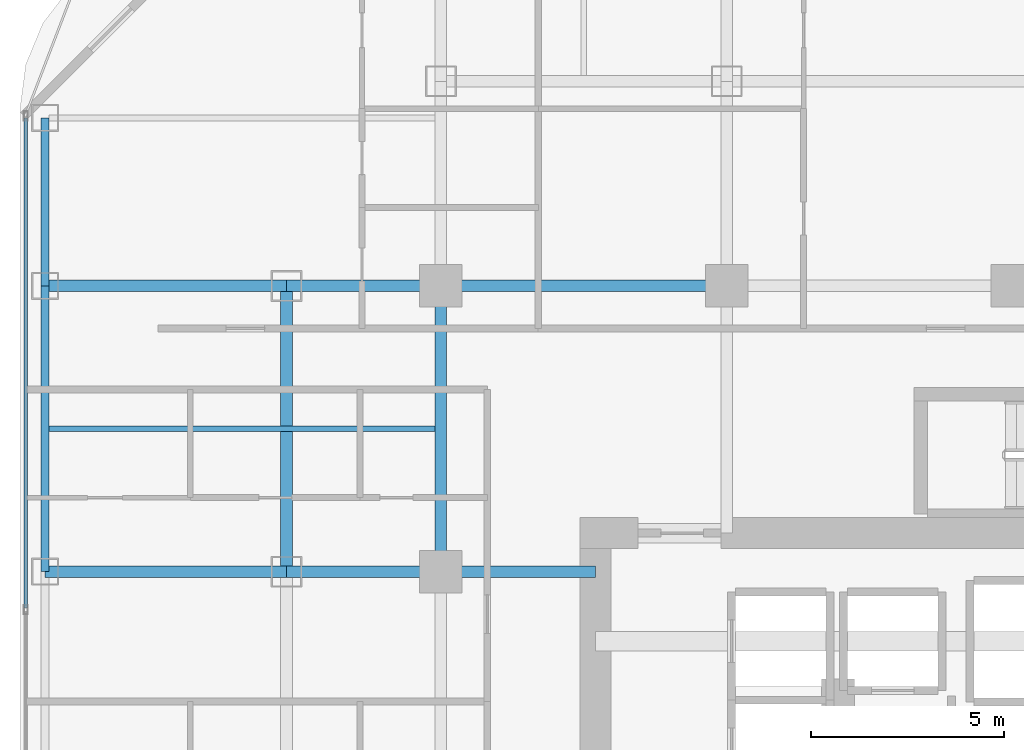
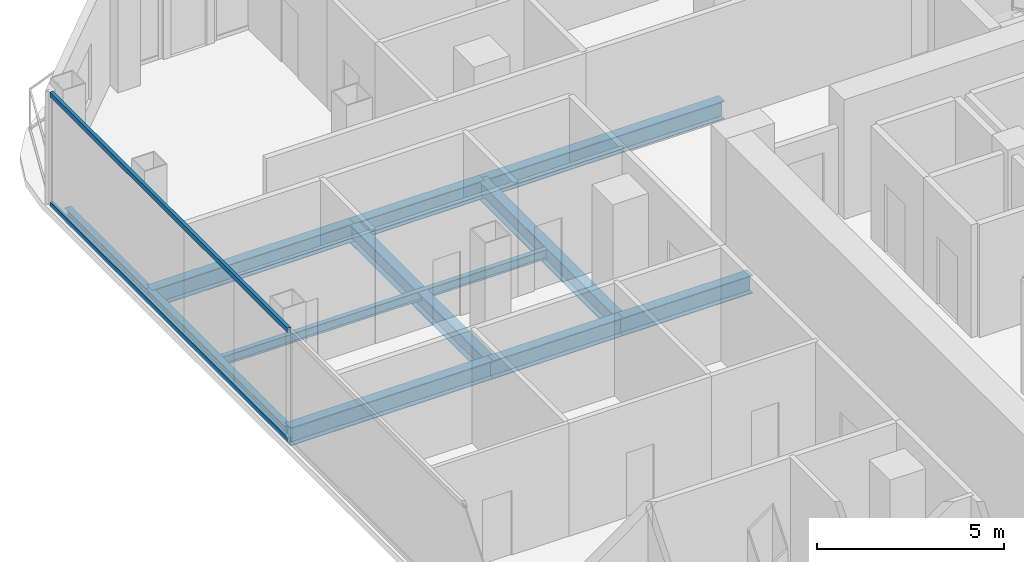
# One storey, part 10 of 27: 11 beams, 2 members, 1 element without a shape of its own.
"""IFC4 building model written with IfcOpenShell, lengths in metres."""

import ifcopenshell
import ifcopenshell.guid

model = None  # the IFC model being written
_history = None  # IfcOwnerHistory: only IFC2X3 demands one
_inside = {}  # id of a spatial element -> (the spatial element, [elements in it])
_under = {}  # id of a project, library or spatial element -> (it, [spatial elements below it])
_declared = {}  # id of a project -> (the project, [libraries it declares])
_typed = {}  # id of a type object -> (the type object, [elements of that type])
_made_of = {}  # id of a material, layer set ... -> (it, [elements and type objects made of it])


def new_model(schema):
    """Start an empty IFC model of exactly this schema.

    Asked for "IFC4X3", IfcOpenShell would pick the latest addendum, in which some entities
    have other attributes; the version numbers below select the first issue.
    IFC2X3 requires an IfcOwnerHistory on every rooted entity: one is made here for all.
    """
    global model, _history
    if schema == "IFC4X3":
        model = ifcopenshell.file(schema_version=(4, 3, 0, 0))
    else:
        model = ifcopenshell.file(schema=schema)
    _inside.clear()
    _under.clear()
    _declared.clear()
    _typed.clear()
    _made_of.clear()
    _history = None
    if model.schema == "IFC2X3":
        org = make("IfcOrganization", Name="unknown")
        user = make(
            "IfcPersonAndOrganization",
            ThePerson=make("IfcPerson", FamilyName="unknown"),
            TheOrganization=org,
        )
        app = make(
            "IfcApplication",
            ApplicationDeveloper=org,
            Version="unknown",
            ApplicationFullName="unknown",
            ApplicationIdentifier="unknown",
        )
        _history = make(
            "IfcOwnerHistory",
            OwningUser=user,
            OwningApplication=app,
            ChangeAction="ADDED",
            CreationDate=0,
        )
    return model


def make(cls, **values):
    """One entity of the class cls with the attributes given. An attribute that is None is left unset."""
    return model.create_entity(
        cls, **{name: value for name, value in values.items() if value is not None}
    )


def rooted(cls, **values):
    """An entity with a GlobalId (a new one), such as an element, a storey or a relation."""
    return make(cls, GlobalId=ifcopenshell.guid.new(), OwnerHistory=_history, **values)


def si_unit(unit_type, name, prefix=None):
    """IfcSIUnit, for example si_unit("LENGTHUNIT", "METRE", prefix="MILLI")."""
    return make("IfcSIUnit", UnitType=unit_type, Prefix=prefix, Name=name)


def assignment(units):
    """IfcUnitAssignment: the units of a project."""
    return None if units is None else make("IfcUnitAssignment", Units=units)


def point(xyz):
    """IfcCartesianPoint."""
    return None if xyz is None else make("IfcCartesianPoint", Coordinates=xyz)


def direction(xyz):
    """IfcDirection."""
    return None if xyz is None else make("IfcDirection", DirectionRatios=xyz)


def frame(location, z_axis=None, x_axis=None):
    """IfcAxis2Placement3D, a coordinate frame: its origin and axes. An axis left out is left unset."""
    return make(
        "IfcAxis2Placement3D",
        Location=point(location),
        Axis=direction(z_axis),
        RefDirection=direction(x_axis),
    )


def frame_2d(location, x_axis=None):
    """IfcAxis2Placement2D, a coordinate frame in the plane: its origin and x axis."""
    return make(
        "IfcAxis2Placement2D", Location=point(location), RefDirection=direction(x_axis)
    )


def origin():
    """The frame at (0, 0, 0) with its axes left unset."""
    return frame((0.0, 0.0, 0.0))


def origin_2d():
    """The frame at (0, 0) in the plane with its x axis left unset."""
    return frame_2d((0.0, 0.0))


def place(relative_to, where):
    """IfcLocalPlacement: puts the frame where relative to a parent placement (None: the world)."""
    return make(
        "IfcLocalPlacement", PlacementRelTo=relative_to, RelativePlacement=where
    )


def context(
    kind, dimensions, precision=None, world=None, true_north=None, identifier=None
):
    """IfcGeometricRepresentationContext, for example the 3D "Model" context."""
    return make(
        "IfcGeometricRepresentationContext",
        ContextIdentifier=identifier,
        ContextType=kind,
        CoordinateSpaceDimension=dimensions,
        Precision=precision,
        WorldCoordinateSystem=world,
        TrueNorth=true_north,
    )


def subcontext(parent, identifier, kind, view, scale=None):
    """IfcGeometricRepresentationSubContext, for example "Body" below "Model"."""
    return make(
        "IfcGeometricRepresentationSubContext",
        ContextIdentifier=identifier,
        ContextType=kind,
        ParentContext=parent,
        TargetScale=scale,
        TargetView=view,
    )


def project(units=None, contexts=None):
    """IfcProject with its units and contexts."""
    return rooted(
        "IfcProject",
        Name="project",
        RepresentationContexts=contexts,
        UnitsInContext=assignment(units),
    )


def spatial(cls, under=None, at=None, **own):
    """A site, building, storey or space (cls), placed at a placement, below another one or the project."""
    s = rooted(cls, ObjectPlacement=at, **own)
    if under is not None:
        _under.setdefault(under.id(), (under, []))[1].append(s)
    return s


def profile(cls, at=None, kind="AREA", **sizes):
    """A parametric profile (cls). Its sizes go by their IFC names, for example OverallWidth=200.0."""
    return make(cls, ProfileType=kind, Position=at, **sizes)


def hollow_rectangle(**sizes):
    """IfcRectangleHollowProfileDef."""
    return profile("IfcRectangleHollowProfileDef", **sizes)


def i_section(**sizes):
    """IfcIShapeProfileDef."""
    return profile("IfcIShapeProfileDef", **sizes)


def extrude(swept, where, along, depth):
    """IfcExtrudedAreaSolid: the profile swept, set in the frame where, extruded along a direction by depth."""
    return make(
        "IfcExtrudedAreaSolid",
        SweptArea=swept,
        Position=where,
        ExtrudedDirection=direction(along),
        Depth=depth,
    )


def shape(context_of_items, identifier, shape_type, items):
    """IfcShapeRepresentation: the items that make up one representation, for example the "Body"."""
    return make(
        "IfcShapeRepresentation",
        ContextOfItems=context_of_items,
        RepresentationIdentifier=identifier,
        RepresentationType=shape_type,
        Items=items,
    )


def material(Name=None, Category=None):
    """IfcMaterial."""
    return make("IfcMaterial", Name=Name, Category=Category)


def layer(
    of_material, thickness, ventilated=None, Name=None, Category=None, Priority=None
):
    """IfcMaterialLayer: one layer of a wall or slab, of a material (None: an air gap)."""
    return make(
        "IfcMaterialLayer",
        Material=of_material,
        LayerThickness=thickness,
        IsVentilated=ventilated,
        Name=Name,
        Category=Category,
        Priority=Priority,
    )


def layer_set(layers, Name=None):
    """IfcMaterialLayerSet."""
    return make("IfcMaterialLayerSet", MaterialLayers=layers, LayerSetName=Name)


def material_profile(
    of_material, cross_section, Name=None, Category=None, Priority=None
):
    """IfcMaterialProfile: a cross section and its material."""
    return make(
        "IfcMaterialProfile",
        Name=Name,
        Material=of_material,
        Profile=cross_section,
        Priority=Priority,
        Category=Category,
    )


def profile_set(profiles, Name=None, composite=None):
    """IfcMaterialProfileSet."""
    return make(
        "IfcMaterialProfileSet",
        Name=Name,
        MaterialProfiles=profiles,
        CompositeProfile=composite,
    )


def made_of(thing, what):
    """Note that an element or type object is made of a material, layer set ...; save() writes the relation."""
    if what is not None:
        _made_of.setdefault(what.id(), (what, []))[1].append(thing)
    return thing


def type_object(cls, material=None, **own):
    """A type object (cls), such as IfcWallType, which elements share."""
    return made_of(rooted(cls, **own), material)


def element(
    cls,
    number,
    at=None,
    inside=None,
    cuts=None,
    type_object=None,
    material=None,
    context=None,
    identifier="Body",
    shape_type=None,
    held_by="IfcProductDefinitionShape",
    body=None,
    shapes=None,
    **own,
):
    """One element of the class cls, such as IfcWall. Its Tag is "e" and its number.

    at: its placement. inside: the storey or other place that contains it. cuts: it is an
    opening in that element (IfcRelVoidsElement). A single representation is given by context,
    identifier, shape_type and body (its items); several are given by shapes. held_by: the class
    of the entity that holds the representations. save() writes the other relations.
    """
    e = rooted(cls, Tag="e%d" % number, ObjectPlacement=at, **own)
    if body is not None:
        shapes = [shape(context, identifier, shape_type, body)]
    if shapes is not None:
        e.Representation = make(held_by, Representations=shapes)
    if inside is not None:
        _inside.setdefault(inside.id(), (inside, []))[1].append(e)
    if cuts is not None:
        rooted(
            "IfcRelVoidsElement", RelatingBuildingElement=cuts, RelatedOpeningElement=e
        )
    if type_object is not None:
        _typed.setdefault(type_object.id(), (type_object, []))[1].append(e)
    return made_of(e, material)


def aggregate(whole, parts):
    """IfcRelAggregates: a whole, such as a stair, and the parts it consists of."""
    return rooted("IfcRelAggregates", RelatingObject=whole, RelatedObjects=parts)


def save(model, path):
    """Write the relations noted so far, then the file.

    IfcRelAggregates (storeys below a building ...), IfcRelContainedInSpatialStructure (elements
    in a storey), IfcRelDefinesByType, IfcRelAssociatesMaterial and IfcRelDeclares: one each for
    every whole, place, type object, material and project.
    """
    for whole, parts in _under.values():
        aggregate(whole, parts)
    for where, things in _inside.values():
        rooted(
            "IfcRelContainedInSpatialStructure",
            RelatedElements=things,
            RelatingStructure=where,
        )
    for kind, things in _typed.values():
        rooted("IfcRelDefinesByType", RelatedObjects=things, RelatingType=kind)
    for what, things in _made_of.values():
        rooted("IfcRelAssociatesMaterial", RelatedObjects=things, RelatingMaterial=what)
    for by, libraries in _declared.values():
        rooted("IfcRelDeclares", RelatingContext=by, RelatedDefinitions=libraries)
    model.write(path)


model = new_model("IFC4")

# Units and contexts
model_context = context("Model", 3, precision=1e-05, world=origin(), true_north=direction((0.0, 1.0)))
body_context = subcontext(model_context, "Body", "Model", "MODEL_VIEW")
ifc_project = project(units=[si_unit("LENGTHUNIT", "METRE"), si_unit("AREAUNIT", "SQUARE_METRE"), si_unit("VOLUMEUNIT", "CUBIC_METRE"), si_unit("PLANEANGLEUNIT", "RADIAN"), si_unit("MASSUNIT", "GRAM", prefix="KILO")], contexts=[model_context])

# Site, building, storey
site_placement = place(None, origin())
site = spatial("IfcSite", under=ifc_project, at=site_placement, CompositionType="ELEMENT")
building_placement = place(site_placement, origin())
building = spatial("IfcBuilding", under=site, at=building_placement, Name="Khorvyn Point Tower", CompositionType="ELEMENT")
storey_placement = place(building_placement, frame((0.0, 0.0, 179.699951171875)))
storey = spatial("IfcBuildingStorey", under=building, at=storey_placement, Name="L44", CompositionType="ELEMENT", Elevation=179.699951171875)

# Curtain wall, members
ifc_material_1 = material(Name="Anodised aluminium 6063-T6 and laminated Low-E glass", Category="aluminium")
ifc_layer = layer(ifc_material_1, 0.18994140625)
ifc_layer_set = layer_set([ifc_layer], Name="Stick-Built Acoustic Curtain Wall CW-SYS-03")
curtain_wall_type = type_object("IfcCurtainWallType", Name="Stick-Built Acoustic Curtain Wall CW-SYS-03", PredefinedType="NOTDEFINED", material=ifc_layer_set)
curtain_wall_placement = place(storey_placement, origin())
curtain_wall = element("IfcCurtainWall", 1, at=curtain_wall_placement, inside=storey, type_object=curtain_wall_type, Name="Curtain Wall", PredefinedType="NOTDEFINED")
ifc_material_2 = material(Name="Anodised aluminium 6063-T6", Category="aluminium")
ifc_material_profile_1 = material_profile(ifc_material_2, hollow_rectangle(XDim=0.10009765625, YDim=0.159912109375, WallThickness=0.00439453125, at=origin_2d()))
ifc_profile_set_1 = profile_set([ifc_material_profile_1], Name="Anodised aluminium 6063-T6 ALU-TRN-100x160")
member_type = type_object("IfcMemberType", Name="Anodised Aluminium 6063-T6 Transom ALU-TRN-100x160", PredefinedType="USERDEFINED", material=ifc_profile_set_1)
member_1_placement = place(storey_placement, frame((-25.550048828125, 6.466552734375, 0.050048828125), z_axis=(0.0, 1.0, 0.0), x_axis=(-1.0, 0.0, 0.0)))
member_1 = element("IfcMember", 2, at=member_1_placement, type_object=member_type, Name="Transom", ObjectType="TRANSOM", PredefinedType="USERDEFINED", context=body_context, shape_type="SweptSolid", body=[
    extrude(hollow_rectangle(XDim=0.10009765625, YDim=0.159912109375, WallThickness=0.00439453125, at=origin_2d()), origin(), (0.0, 0.0, 1.0), 12.683349609375),
])
member_2_placement = place(storey_placement, frame((-25.550048828125, 6.466552734375, 3.630126953125), z_axis=(0.0, 1.0, 0.0), x_axis=(-1.0, 0.0, 0.0)))
member_2 = element("IfcMember", 3, at=member_2_placement, type_object=member_type, Name="Transom", ObjectType="TRANSOM", PredefinedType="USERDEFINED", context=body_context, shape_type="SweptSolid", body=[
    extrude(hollow_rectangle(XDim=0.10009765625, YDim=0.159912109375, WallThickness=0.00439453125, at=origin_2d()), origin(), (0.0, 0.0, 1.0), 12.683349609375),
])
aggregate(curtain_wall, [member_1, member_2])

# Beams
ifc_material_3 = material(Name="Steel S355", Category="steel")
ifc_material_profile_2 = material_profile(ifc_material_3, i_section(OverallWidth=0.300048828125, OverallDepth=0.587890625, WebThickness=0.011962890625, FlangeThickness=0.02001953125, at=origin_2d()))
ifc_profile_set_2 = profile_set([ifc_material_profile_2], Name="Steel S355 H588x300x12x20")
beam_type_1 = type_object("IfcBeamType", Name="Steel S355 Beam H588x300x12x20", PredefinedType="BEAM", material=ifc_profile_set_2)
beam_1_placement = place(storey_placement, frame((-25.050048828125, 14.800048828125, -0.513916015625), z_axis=(1.0, 0.0, 0.0), x_axis=(0.0, 1.0, 0.0)))
element("IfcBeam", 4, at=beam_1_placement, inside=storey, type_object=beam_type_1, Name="Beam", PredefinedType="BEAM", context=body_context, shape_type="SweptSolid", body=[
    extrude(i_section(OverallWidth=0.300048828125, OverallDepth=0.587890625, WebThickness=0.011962890625, FlangeThickness=0.02001953125, at=origin_2d()), origin(), (0.0, 0.0, 1.0), 6.25),
])
beam_2_placement = place(storey_placement, frame((-18.800048828125, 14.800048828125, -0.513916015625), z_axis=(1.0, 0.0, 0.0), x_axis=(0.0, 1.0, 0.0)))
element("IfcBeam", 5, at=beam_2_placement, inside=storey, type_object=beam_type_1, Name="Beam", PredefinedType="BEAM", context=body_context, shape_type="SweptSolid", body=[
    extrude(i_section(OverallWidth=0.300048828125, OverallDepth=0.587890625, WebThickness=0.011962890625, FlangeThickness=0.02001953125, at=origin_2d()), origin(), (0.0, 0.0, 1.0), 4.0),
])
beam_3_placement = place(storey_placement, frame((-14.800048828125, 14.800048828125, -0.513916015625), z_axis=(1.0, 0.0, 0.0), x_axis=(0.0, 1.0, 0.0)))
element("IfcBeam", 6, at=beam_3_placement, inside=storey, type_object=beam_type_1, Name="Beam", PredefinedType="BEAM", context=body_context, shape_type="SweptSolid", body=[
    extrude(i_section(OverallWidth=0.300048828125, OverallDepth=0.587890625, WebThickness=0.011962890625, FlangeThickness=0.02001953125, at=origin_2d()), origin(), (0.0, 0.0, 1.0), 7.400146484375),
])
beam_4_placement = place(storey_placement, frame((-25.050048828125, 7.39990234375, -0.513916015625), z_axis=(1.0, 0.0, 0.0), x_axis=(0.0, 1.0, 0.0)))
element("IfcBeam", 7, at=beam_4_placement, inside=storey, type_object=beam_type_1, Name="Beam", PredefinedType="BEAM", context=body_context, shape_type="SweptSolid", body=[
    extrude(i_section(OverallWidth=0.300048828125, OverallDepth=0.587890625, WebThickness=0.011962890625, FlangeThickness=0.02001953125, at=origin_2d()), origin(), (0.0, 0.0, 1.0), 6.25),
])
for number, where, z_axis, x_axis, name in (
    (8, (-18.800048828125, 7.39990234375, -0.513916015625), (1.0, 0.0, 0.0), (0.0, 1.0, 0.0), "Beam"),
    (9, (-14.800048828125, 7.39990234375, -0.513916015625), (1.0, 0.0, 0.0), (0.0, 1.0, 0.0), "Beam"),
):
    element("IfcBeam", number, at=place(storey_placement, frame(where, z_axis=z_axis, x_axis=x_axis)), inside=storey, type_object=beam_type_1, Name=name, PredefinedType="BEAM", context=body_context, shape_type="SweptSolid", body=[
        extrude(i_section(OverallWidth=0.300048828125, OverallDepth=0.587890625, WebThickness=0.011962890625, FlangeThickness=0.02001953125, at=origin_2d()), origin(), (0.0, 0.0, 1.0), 4.0),
    ])
for number, where, z_axis, x_axis, name in (
    (10, (-14.800048828125, 7.39990234375, -0.513916015625), (0.0, 1.0, 0.0), (-1.0, 0.0, 0.0), "Beam"),
    (11, (-18.800048828125, 7.39990234375, -0.513916015625), (0.0, 1.0, 0.0), (-1.0, 0.0, 0.0), "Beam"),
):
    element("IfcBeam", number, at=place(storey_placement, frame(where, z_axis=z_axis, x_axis=x_axis)), inside=storey, type_object=beam_type_1, Name=name, PredefinedType="BEAM", context=body_context, shape_type="SweptSolid", body=[
        extrude(i_section(OverallWidth=0.300048828125, OverallDepth=0.587890625, WebThickness=0.011962890625, FlangeThickness=0.02001953125, at=origin_2d()), origin(), (0.0, 0.0, 1.0), 7.400146484375),
    ])
ifc_material_profile_3 = material_profile(ifc_material_3, i_section(OverallWidth=0.14990234375, OverallDepth=0.300048828125, WebThickness=0.006591796875, FlangeThickness=0.009033203125, at=origin_2d()))
ifc_profile_set_3 = profile_set([ifc_material_profile_3], Name="Steel S355 H300x150x6.5x9")
beam_type_2 = type_object("IfcBeamType", Name="Steel S355 Joist H300x150x6.5x9", PredefinedType="JOIST", material=ifc_profile_set_3)
beam_5_placement = place(storey_placement, frame((-24.949951171875, 11.10009765625, -0.369873046875), z_axis=(1.0, 0.0, 0.0), x_axis=(0.0, 1.0, 0.0)))
element("IfcBeam", 12, at=beam_5_placement, inside=storey, type_object=beam_type_2, Name="Beam", PredefinedType="JOIST", context=body_context, shape_type="SweptSolid", body=[
    extrude(i_section(OverallWidth=0.14990234375, OverallDepth=0.300048828125, WebThickness=0.006591796875, FlangeThickness=0.009033203125, at=origin_2d()), origin(), (0.0, 0.0, 1.0), 10.0),
])
ifc_material_profile_4 = material_profile(ifc_material_3, i_section(OverallWidth=0.199951171875, OverallDepth=0.449951171875, WebThickness=0.009033203125, FlangeThickness=0.013916015625, at=origin_2d()))
ifc_profile_set_4 = profile_set([ifc_material_profile_4], Name="Steel S355 H450x200x9x14")
beam_type_3 = type_object("IfcBeamType", Name="Steel S355 Spandrel H450x200x9x14", PredefinedType="SPANDREL", material=ifc_profile_set_4)
beam_6_placement = place(storey_placement, frame((-25.050048828125, 7.39990234375, -0.445068359375), z_axis=(0.0, 1.0, 0.0), x_axis=(-1.0, 0.0, 0.0)))
element("IfcBeam", 13, at=beam_6_placement, inside=storey, type_object=beam_type_3, Name="Beam", PredefinedType="SPANDREL", context=body_context, shape_type="SweptSolid", body=[
    extrude(i_section(OverallWidth=0.199951171875, OverallDepth=0.449951171875, WebThickness=0.009033203125, FlangeThickness=0.013916015625, at=origin_2d()), origin(), (0.0, 0.0, 1.0), 7.400146484375),
])
beam_7_placement = place(storey_placement, frame((-25.050048828125, 14.800048828125, -0.445068359375), z_axis=(0.0, 1.0, 0.0), x_axis=(-1.0, 0.0, 0.0)))
element("IfcBeam", 14, at=beam_7_placement, inside=storey, type_object=beam_type_3, Name="Beam", PredefinedType="SPANDREL", context=body_context, shape_type="SweptSolid", body=[
    extrude(i_section(OverallWidth=0.199951171875, OverallDepth=0.449951171875, WebThickness=0.009033203125, FlangeThickness=0.013916015625, at=origin_2d()), origin(), (0.0, 0.0, 1.0), 4.349853515625),
])

save(model, "model.ifc")
